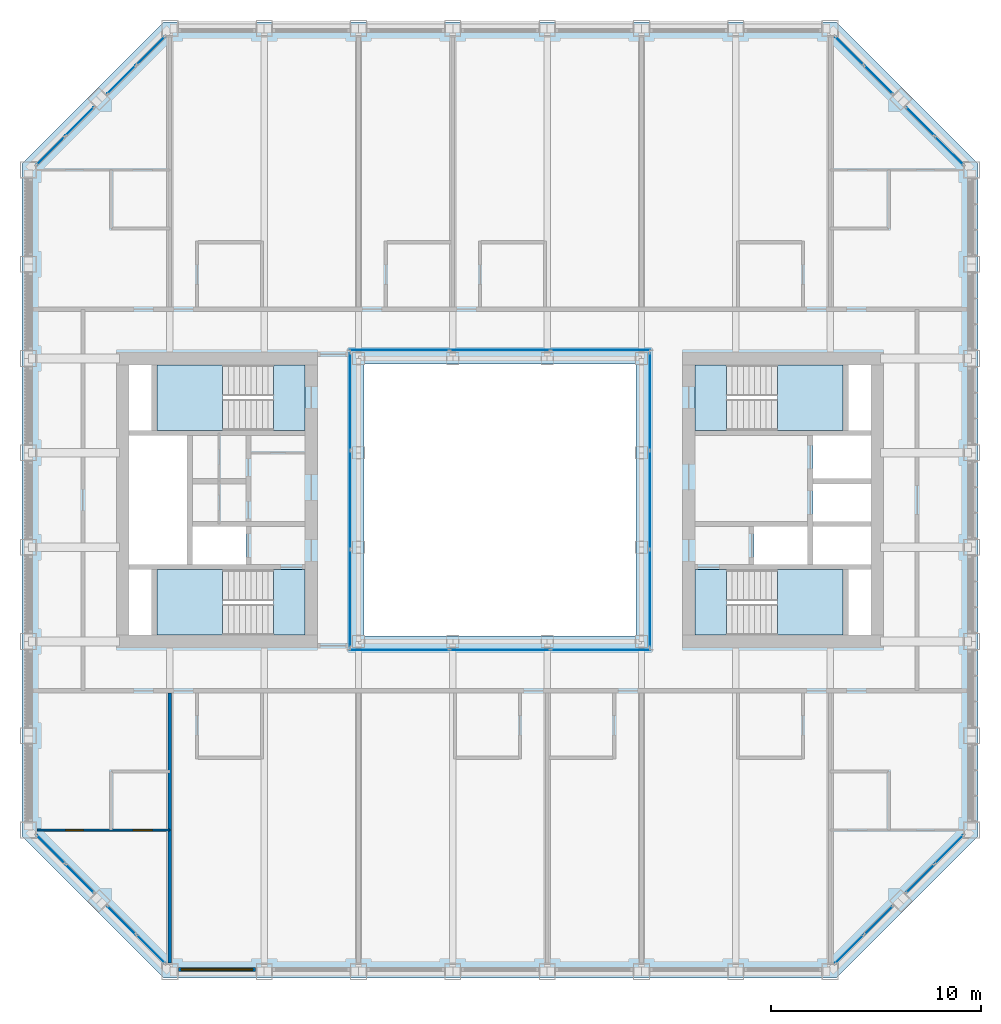
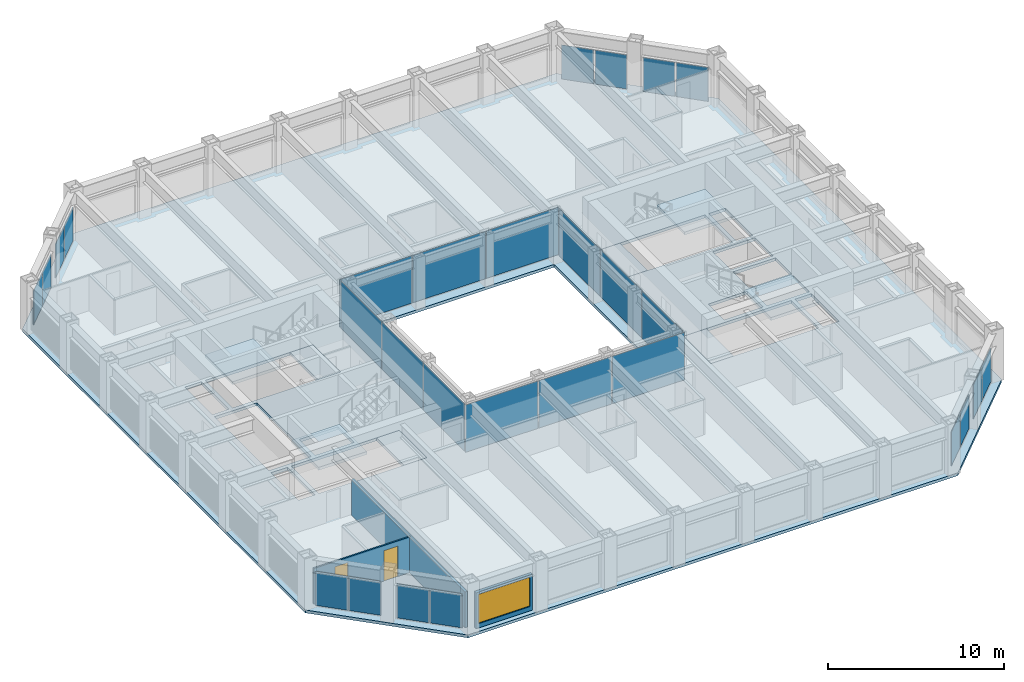
# One storey, part 9 of 17: 28 plates, 9 slabs, 3 walls, 2 doors, 1 window, 3 openings, 16 elements without a shape of their own.
"""IFC4 building model written with IfcOpenShell, lengths in metres."""

from ifc_helpers import new_model, si_unit, direction, frame, frame_2d, origin, origin_2d, place, context, subcontext, project, spatial, polyline, rectangle, outline, extrude, material, layer, layer_set, type_object, element, fill, aggregate, save


model = new_model("IFC4")

# Units and contexts
model_context = context("Model", 3, precision=1e-05, world=origin(), true_north=direction((0.0, 1.0)))
body_context = subcontext(model_context, "Body", "Model", "MODEL_VIEW")
ifc_project = project(units=[si_unit("LENGTHUNIT", "METRE"), si_unit("AREAUNIT", "SQUARE_METRE"), si_unit("VOLUMEUNIT", "CUBIC_METRE"), si_unit("PLANEANGLEUNIT", "RADIAN"), si_unit("MASSUNIT", "GRAM", prefix="KILO")], contexts=[model_context])

# Site, building, storey
site_placement = place(None, origin())
site = spatial("IfcSite", under=ifc_project, at=site_placement, CompositionType="ELEMENT")
building_placement = place(site_placement, origin())
building = spatial("IfcBuilding", under=site, at=building_placement, Name="Msasa Ring Tower", CompositionType="ELEMENT")
storey_placement = place(building_placement, frame((0.0, 0.0, 161.60009765625)))
storey = spatial("IfcBuildingStorey", under=building, at=storey_placement, Name="L42", CompositionType="ELEMENT", Elevation=161.60009765625)

# Curtain wall, plates
ifc_material_1 = material(Name="Aluminium curtain wall with clear glass", Category="aluminium")
curtain_wall_type_1 = type_object("IfcCurtainWallType", Name="CW-C CHAMFER CORNER CURTAIN WALL", PredefinedType="NOTDEFINED", material=ifc_material_1)
curtain_wall_1_placement = place(storey_placement, origin())
curtain_wall_1 = element("IfcCurtainWall", 1, at=curtain_wall_1_placement, inside=storey, type_object=curtain_wall_type_1, Name="Chamfer corner curtain wall SE L42", PredefinedType="NOTDEFINED")
ifc_material_2 = material(Name="Clear laminated insulating glass unit", Category="glass")
ifc_layer_1 = layer(ifc_material_2, 0.031982421875)
ifc_layer_set_1 = layer_set([ifc_layer_1], Name="CW-C GLASS PANEL 32")
plate_type_1 = type_object("IfcPlateType", Name="CW-C GLASS PANEL 32", PredefinedType="CURTAIN_PANEL", material=ifc_layer_set_1)
plate_1_placement = place(storey_placement, frame((16.677734375, -21.430908203125, 0.06494140625), z_axis=(0.0, 0.0, 1.0), x_axis=(0.707106781187, 0.707106781187, 0.0)))
plate_1 = element("IfcPlate", 2, at=plate_1_placement, type_object=plate_type_1, Name="CW-C panel 1.1", PredefinedType="CURTAIN_PANEL", context=body_context, shape_type="SweptSolid", body=[
    extrude(rectangle(XDim=1.884033203125, YDim=0.031982421875, at=origin_2d()), origin(), (0.0, 0.0, 1.0), 2.34912109375),
])
plate_2_placement = place(storey_placement, frame((18.055908203125, -20.052734375, 0.06494140625), z_axis=(0.0, 0.0, 1.0), x_axis=(0.707106781187, 0.707106781187, 0.0)))
plate_2 = element("IfcPlate", 3, at=plate_2_placement, type_object=plate_type_1, Name="CW-C panel 2.1", PredefinedType="CURTAIN_PANEL", context=body_context, shape_type="SweptSolid", body=[
    extrude(rectangle(XDim=1.884033203125, YDim=0.031982421875, at=origin_2d()), origin(), (0.0, 0.0, 1.0), 2.34912109375),
])
aggregate(curtain_wall_1, [plate_1, plate_2])

curtain_wall_2_placement = place(storey_placement, origin())
curtain_wall_2 = element("IfcCurtainWall", 4, at=curtain_wall_2_placement, inside=storey, type_object=curtain_wall_type_1, Name="Chamfer corner curtain wall SE L42", PredefinedType="NOTDEFINED")
plate_3_placement = place(storey_placement, frame((20.052734375, -18.055908203125, 0.06494140625), z_axis=(0.0, 0.0, 1.0), x_axis=(0.707106781187, 0.707106781187, 0.0)))
plate_3 = element("IfcPlate", 5, at=plate_3_placement, type_object=plate_type_1, Name="CW-C panel 1.1", PredefinedType="CURTAIN_PANEL", context=body_context, shape_type="SweptSolid", body=[
    extrude(rectangle(XDim=1.884033203125, YDim=0.031982421875, at=origin_2d()), origin(), (0.0, 0.0, 1.0), 2.34912109375),
])
plate_4_placement = place(storey_placement, frame((21.430908203125, -16.677734375, 0.06494140625), z_axis=(0.0, 0.0, 1.0), x_axis=(0.707106781187, 0.707106781187, 0.0)))
plate_4 = element("IfcPlate", 6, at=plate_4_placement, type_object=plate_type_1, Name="CW-C panel 2.1", PredefinedType="CURTAIN_PANEL", context=body_context, shape_type="SweptSolid", body=[
    extrude(rectangle(XDim=1.884033203125, YDim=0.031982421875, at=origin_2d()), origin(), (0.0, 0.0, 1.0), 2.34912109375),
])
aggregate(curtain_wall_2, [plate_3, plate_4])

curtain_wall_3_placement = place(storey_placement, origin())
curtain_wall_3 = element("IfcCurtainWall", 7, at=curtain_wall_3_placement, inside=storey, type_object=curtain_wall_type_1, Name="Chamfer corner curtain wall NE L42", PredefinedType="NOTDEFINED")
plate_5_placement = place(storey_placement, frame((18.055908203125, 20.052734375, 0.06494140625), z_axis=(0.0, 0.0, 1.0), x_axis=(-0.707106781187, 0.707106781187, 0.0)))
plate_5 = element("IfcPlate", 8, at=plate_5_placement, type_object=plate_type_1, Name="CW-C panel 1.1", PredefinedType="CURTAIN_PANEL", context=body_context, shape_type="SweptSolid", body=[
    extrude(rectangle(XDim=1.884033203125, YDim=0.031982421875, at=origin_2d()), origin(), (0.0, 0.0, 1.0), 2.34912109375),
])
plate_6_placement = place(storey_placement, frame((16.677734375, 21.430908203125, 0.06494140625), z_axis=(0.0, 0.0, 1.0), x_axis=(-0.707106781187, 0.707106781187, 0.0)))
plate_6 = element("IfcPlate", 9, at=plate_6_placement, type_object=plate_type_1, Name="CW-C panel 2.1", PredefinedType="CURTAIN_PANEL", context=body_context, shape_type="SweptSolid", body=[
    extrude(rectangle(XDim=1.884033203125, YDim=0.031982421875, at=origin_2d()), origin(), (0.0, 0.0, 1.0), 2.34912109375),
])
aggregate(curtain_wall_3, [plate_5, plate_6])

curtain_wall_4_placement = place(storey_placement, origin())
curtain_wall_4 = element("IfcCurtainWall", 10, at=curtain_wall_4_placement, inside=storey, type_object=curtain_wall_type_1, Name="Chamfer corner curtain wall NE L42", PredefinedType="NOTDEFINED")
plate_7_placement = place(storey_placement, frame((21.430908203125, 16.677734375, 0.06494140625), z_axis=(0.0, 0.0, 1.0), x_axis=(-0.707106781187, 0.707106781187, 0.0)))
plate_7 = element("IfcPlate", 11, at=plate_7_placement, type_object=plate_type_1, Name="CW-C panel 1.1", PredefinedType="CURTAIN_PANEL", context=body_context, shape_type="SweptSolid", body=[
    extrude(rectangle(XDim=1.884033203125, YDim=0.031982421875, at=origin_2d()), origin(), (0.0, 0.0, 1.0), 2.34912109375),
])
plate_8_placement = place(storey_placement, frame((20.052734375, 18.055908203125, 0.06494140625), z_axis=(0.0, 0.0, 1.0), x_axis=(-0.707106781187, 0.707106781187, 0.0)))
plate_8 = element("IfcPlate", 12, at=plate_8_placement, type_object=plate_type_1, Name="CW-C panel 2.1", PredefinedType="CURTAIN_PANEL", context=body_context, shape_type="SweptSolid", body=[
    extrude(rectangle(XDim=1.884033203125, YDim=0.031982421875, at=origin_2d()), origin(), (0.0, 0.0, 1.0), 2.34912109375),
])
aggregate(curtain_wall_4, [plate_7, plate_8])

curtain_wall_5_placement = place(storey_placement, origin())
curtain_wall_5 = element("IfcCurtainWall", 13, at=curtain_wall_5_placement, inside=storey, type_object=curtain_wall_type_1, Name="Chamfer corner curtain wall NW L42", PredefinedType="NOTDEFINED")
plate_9_placement = place(storey_placement, frame((-20.052734375, 18.055908203125, 0.06494140625), z_axis=(0.0, 0.0, 1.0), x_axis=(-0.707106781187, -0.707106781187, 0.0)))
plate_9 = element("IfcPlate", 14, at=plate_9_placement, type_object=plate_type_1, Name="CW-C panel 1.1", PredefinedType="CURTAIN_PANEL", context=body_context, shape_type="SweptSolid", body=[
    extrude(rectangle(XDim=1.884033203125, YDim=0.031982421875, at=origin_2d()), origin(), (0.0, 0.0, 1.0), 2.34912109375),
])
plate_10_placement = place(storey_placement, frame((-21.430908203125, 16.677734375, 0.06494140625), z_axis=(0.0, 0.0, 1.0), x_axis=(-0.707106781187, -0.707106781187, 0.0)))
plate_10 = element("IfcPlate", 15, at=plate_10_placement, type_object=plate_type_1, Name="CW-C panel 2.1", PredefinedType="CURTAIN_PANEL", context=body_context, shape_type="SweptSolid", body=[
    extrude(rectangle(XDim=1.884033203125, YDim=0.031982421875, at=origin_2d()), origin(), (0.0, 0.0, 1.0), 2.34912109375),
])
aggregate(curtain_wall_5, [plate_9, plate_10])

curtain_wall_6_placement = place(storey_placement, origin())
curtain_wall_6 = element("IfcCurtainWall", 16, at=curtain_wall_6_placement, inside=storey, type_object=curtain_wall_type_1, Name="Chamfer corner curtain wall NW L42", PredefinedType="NOTDEFINED")
plate_11_placement = place(storey_placement, frame((-16.677734375, 21.430908203125, 0.06494140625), z_axis=(0.0, 0.0, 1.0), x_axis=(-0.707106781187, -0.707106781187, 0.0)))
plate_11 = element("IfcPlate", 17, at=plate_11_placement, type_object=plate_type_1, Name="CW-C panel 1.1", PredefinedType="CURTAIN_PANEL", context=body_context, shape_type="SweptSolid", body=[
    extrude(rectangle(XDim=1.884033203125, YDim=0.031982421875, at=origin_2d()), origin(), (0.0, 0.0, 1.0), 2.34912109375),
])
plate_12_placement = place(storey_placement, frame((-18.055908203125, 20.052734375, 0.06494140625), z_axis=(0.0, 0.0, 1.0), x_axis=(-0.707106781187, -0.707106781187, 0.0)))
plate_12 = element("IfcPlate", 18, at=plate_12_placement, type_object=plate_type_1, Name="CW-C panel 2.1", PredefinedType="CURTAIN_PANEL", context=body_context, shape_type="SweptSolid", body=[
    extrude(rectangle(XDim=1.884033203125, YDim=0.031982421875, at=origin_2d()), origin(), (0.0, 0.0, 1.0), 2.34912109375),
])
aggregate(curtain_wall_6, [plate_11, plate_12])

curtain_wall_7_placement = place(storey_placement, origin())
curtain_wall_7 = element("IfcCurtainWall", 19, at=curtain_wall_7_placement, inside=storey, type_object=curtain_wall_type_1, Name="Chamfer corner curtain wall SW L42", PredefinedType="NOTDEFINED")
plate_13_placement = place(storey_placement, frame((-21.430908203125, -16.677734375, 0.06494140625), z_axis=(0.0, 0.0, 1.0), x_axis=(0.707106781187, -0.707106781187, 0.0)))
plate_13 = element("IfcPlate", 20, at=plate_13_placement, type_object=plate_type_1, Name="CW-C panel 1.1", PredefinedType="CURTAIN_PANEL", context=body_context, shape_type="SweptSolid", body=[
    extrude(rectangle(XDim=1.884033203125, YDim=0.031982421875, at=origin_2d()), origin(), (0.0, 0.0, 1.0), 2.34912109375),
])
plate_14_placement = place(storey_placement, frame((-20.052734375, -18.055908203125, 0.06494140625), z_axis=(0.0, 0.0, 1.0), x_axis=(0.707106781187, -0.707106781187, 0.0)))
plate_14 = element("IfcPlate", 21, at=plate_14_placement, type_object=plate_type_1, Name="CW-C panel 2.1", PredefinedType="CURTAIN_PANEL", context=body_context, shape_type="SweptSolid", body=[
    extrude(rectangle(XDim=1.884033203125, YDim=0.031982421875, at=origin_2d()), origin(), (0.0, 0.0, 1.0), 2.34912109375),
])
aggregate(curtain_wall_7, [plate_13, plate_14])

curtain_wall_8_placement = place(storey_placement, origin())
curtain_wall_8 = element("IfcCurtainWall", 22, at=curtain_wall_8_placement, inside=storey, type_object=curtain_wall_type_1, Name="Chamfer corner curtain wall SW L42", PredefinedType="NOTDEFINED")
plate_15_placement = place(storey_placement, frame((-18.055908203125, -20.052734375, 0.06494140625), z_axis=(0.0, 0.0, 1.0), x_axis=(0.707106781187, -0.707106781187, 0.0)))
plate_15 = element("IfcPlate", 23, at=plate_15_placement, type_object=plate_type_1, Name="CW-C panel 1.1", PredefinedType="CURTAIN_PANEL", context=body_context, shape_type="SweptSolid", body=[
    extrude(rectangle(XDim=1.884033203125, YDim=0.031982421875, at=origin_2d()), origin(), (0.0, 0.0, 1.0), 2.34912109375),
])
plate_16_placement = place(storey_placement, frame((-16.677734375, -21.430908203125, 0.06494140625), z_axis=(0.0, 0.0, 1.0), x_axis=(0.707106781187, -0.707106781187, 0.0)))
plate_16 = element("IfcPlate", 24, at=plate_16_placement, type_object=plate_type_1, Name="CW-C panel 2.1", PredefinedType="CURTAIN_PANEL", context=body_context, shape_type="SweptSolid", body=[
    extrude(rectangle(XDim=1.884033203125, YDim=0.031982421875, at=origin_2d()), origin(), (0.0, 0.0, 1.0), 2.34912109375),
])
aggregate(curtain_wall_8, [plate_15, plate_16])

ifc_material_3 = material(Name="Aluminium curtain wall with clear glass", Category="aluminium")
curtain_wall_type_2 = type_object("IfcCurtainWallType", Name="CW-W LIGHT WELL CURTAIN WALL", PredefinedType="NOTDEFINED", material=ifc_material_3)
curtain_wall_9_placement = place(storey_placement, origin())
curtain_wall_9 = element("IfcCurtainWall", 25, at=curtain_wall_9_placement, inside=storey, type_object=curtain_wall_type_2, Name="Light well curtain wall N L42", PredefinedType="NOTDEFINED")
ifc_material_4 = material(Name="Clear laminated insulating glass unit", Category="glass")
ifc_layer_2 = layer(ifc_material_4, 0.028076171875)
ifc_layer_set_2 = layer_set([ifc_layer_2], Name="CW-W GLASS PANEL 28")
plate_type_2 = type_object("IfcPlateType", Name="CW-W GLASS PANEL 28", PredefinedType="CURTAIN_PANEL", material=ifc_layer_set_2)
plate_17_placement = place(storey_placement, frame((-4.804931640625, 7.14990234375, 0.06005859375), z_axis=(0.0, 0.0, 1.0), x_axis=(1.0, 0.0, 0.0)))
plate_17 = element("IfcPlate", 26, at=plate_17_placement, type_object=plate_type_2, Name="CW-W panel 1.1", PredefinedType="CURTAIN_PANEL", context=body_context, shape_type="SweptSolid", body=[
    extrude(rectangle(XDim=4.72998046875, YDim=0.028076171875, at=origin_2d()), origin(), (0.0, 0.0, 1.0), 3.280029296875),
])
plate_18_placement = place(storey_placement, frame((0.0, 7.14990234375, 0.06005859375), z_axis=(0.0, 0.0, 1.0), x_axis=(1.0, 0.0, 0.0)))
plate_18 = element("IfcPlate", 27, at=plate_18_placement, type_object=plate_type_2, Name="CW-W panel 2.1", PredefinedType="CURTAIN_PANEL", context=body_context, shape_type="SweptSolid", body=[
    extrude(rectangle(XDim=4.760009765625, YDim=0.028076171875, at=origin_2d()), origin(), (0.0, 0.0, 1.0), 3.280029296875),
])
plate_19_placement = place(storey_placement, frame((4.804931640625, 7.14990234375, 0.06005859375), z_axis=(0.0, 0.0, 1.0), x_axis=(1.0, 0.0, 0.0)))
plate_19 = element("IfcPlate", 28, at=plate_19_placement, type_object=plate_type_2, Name="CW-W panel 3.1", PredefinedType="CURTAIN_PANEL", context=body_context, shape_type="SweptSolid", body=[
    extrude(rectangle(XDim=4.72998046875, YDim=0.028076171875, at=origin_2d()), origin(), (0.0, 0.0, 1.0), 3.280029296875),
])
aggregate(curtain_wall_9, [plate_17, plate_18, plate_19])

curtain_wall_10_placement = place(storey_placement, origin())
curtain_wall_10 = element("IfcCurtainWall", 29, at=curtain_wall_10_placement, inside=storey, type_object=curtain_wall_type_2, Name="Light well curtain wall S L42", PredefinedType="NOTDEFINED")
plate_20_placement = place(storey_placement, frame((-4.804931640625, -7.14990234375, 0.06005859375), z_axis=(0.0, 0.0, 1.0), x_axis=(1.0, 0.0, 0.0)))
plate_20 = element("IfcPlate", 30, at=plate_20_placement, type_object=plate_type_2, Name="CW-W panel 1.1", PredefinedType="CURTAIN_PANEL", context=body_context, shape_type="SweptSolid", body=[
    extrude(rectangle(XDim=4.72998046875, YDim=0.028076171875, at=origin_2d()), origin(), (0.0, 0.0, 1.0), 3.280029296875),
])
plate_21_placement = place(storey_placement, frame((0.0, -7.14990234375, 0.06005859375), z_axis=(0.0, 0.0, 1.0), x_axis=(1.0, 0.0, 0.0)))
plate_21 = element("IfcPlate", 31, at=plate_21_placement, type_object=plate_type_2, Name="CW-W panel 2.1", PredefinedType="CURTAIN_PANEL", context=body_context, shape_type="SweptSolid", body=[
    extrude(rectangle(XDim=4.760009765625, YDim=0.028076171875, at=origin_2d()), origin(), (0.0, 0.0, 1.0), 3.280029296875),
])
plate_22_placement = place(storey_placement, frame((4.804931640625, -7.14990234375, 0.06005859375), z_axis=(0.0, 0.0, 1.0), x_axis=(1.0, 0.0, 0.0)))
plate_22 = element("IfcPlate", 32, at=plate_22_placement, type_object=plate_type_2, Name="CW-W panel 3.1", PredefinedType="CURTAIN_PANEL", context=body_context, shape_type="SweptSolid", body=[
    extrude(rectangle(XDim=4.72998046875, YDim=0.028076171875, at=origin_2d()), origin(), (0.0, 0.0, 1.0), 3.280029296875),
])
aggregate(curtain_wall_10, [plate_20, plate_21, plate_22])

curtain_wall_11_placement = place(storey_placement, origin())
curtain_wall_11 = element("IfcCurtainWall", 33, at=curtain_wall_11_placement, inside=storey, type_object=curtain_wall_type_2, Name="Light well curtain wall E L42", PredefinedType="NOTDEFINED")
plate_23_placement = place(storey_placement, frame((7.14990234375, -4.6982421875, 0.06005859375), z_axis=(0.0, 0.0, 1.0), x_axis=(0.0, 1.0, 0.0)))
plate_23 = element("IfcPlate", 34, at=plate_23_placement, type_object=plate_type_2, Name="CW-W panel 1.1", PredefinedType="CURTAIN_PANEL", context=body_context, shape_type="SweptSolid", body=[
    extrude(rectangle(XDim=4.623291015625, YDim=0.028076171875, at=origin_2d()), origin(), (0.0, 0.0, 1.0), 3.280029296875),
])
plate_24_placement = place(storey_placement, frame((7.14990234375, 0.0, 0.06005859375), z_axis=(0.0, 0.0, 1.0), x_axis=(0.0, 1.0, 0.0)))
plate_24 = element("IfcPlate", 35, at=plate_24_placement, type_object=plate_type_2, Name="CW-W panel 2.1", PredefinedType="CURTAIN_PANEL", context=body_context, shape_type="SweptSolid", body=[
    extrude(rectangle(XDim=4.6533203125, YDim=0.028076171875, at=origin_2d()), origin(), (0.0, 0.0, 1.0), 3.280029296875),
])
plate_25_placement = place(storey_placement, frame((7.14990234375, 4.6982421875, 0.06005859375), z_axis=(0.0, 0.0, 1.0), x_axis=(0.0, 1.0, 0.0)))
plate_25 = element("IfcPlate", 36, at=plate_25_placement, type_object=plate_type_2, Name="CW-W panel 3.1", PredefinedType="CURTAIN_PANEL", context=body_context, shape_type="SweptSolid", body=[
    extrude(rectangle(XDim=4.623291015625, YDim=0.028076171875, at=origin_2d()), origin(), (0.0, 0.0, 1.0), 3.280029296875),
])
aggregate(curtain_wall_11, [plate_23, plate_24, plate_25])

curtain_wall_12_placement = place(storey_placement, origin())
curtain_wall_12 = element("IfcCurtainWall", 37, at=curtain_wall_12_placement, inside=storey, type_object=curtain_wall_type_2, Name="Light well curtain wall W L42", PredefinedType="NOTDEFINED")
plate_26_placement = place(storey_placement, frame((-7.14990234375, -4.6982421875, 0.06005859375), z_axis=(0.0, 0.0, 1.0), x_axis=(0.0, 1.0, 0.0)))
plate_26 = element("IfcPlate", 38, at=plate_26_placement, type_object=plate_type_2, Name="CW-W panel 1.1", PredefinedType="CURTAIN_PANEL", context=body_context, shape_type="SweptSolid", body=[
    extrude(rectangle(XDim=4.623291015625, YDim=0.028076171875, at=origin_2d()), origin(), (0.0, 0.0, 1.0), 3.280029296875),
])
plate_27_placement = place(storey_placement, frame((-7.14990234375, 0.0, 0.06005859375), z_axis=(0.0, 0.0, 1.0), x_axis=(0.0, 1.0, 0.0)))
plate_27 = element("IfcPlate", 39, at=plate_27_placement, type_object=plate_type_2, Name="CW-W panel 2.1", PredefinedType="CURTAIN_PANEL", context=body_context, shape_type="SweptSolid", body=[
    extrude(rectangle(XDim=4.6533203125, YDim=0.028076171875, at=origin_2d()), origin(), (0.0, 0.0, 1.0), 3.280029296875),
])
plate_28_placement = place(storey_placement, frame((-7.14990234375, 4.6982421875, 0.06005859375), z_axis=(0.0, 0.0, 1.0), x_axis=(0.0, 1.0, 0.0)))
plate_28 = element("IfcPlate", 40, at=plate_28_placement, type_object=plate_type_2, Name="CW-W panel 3.1", PredefinedType="CURTAIN_PANEL", context=body_context, shape_type="SweptSolid", body=[
    extrude(rectangle(XDim=4.623291015625, YDim=0.028076171875, at=origin_2d()), origin(), (0.0, 0.0, 1.0), 3.280029296875),
])
aggregate(curtain_wall_12, [plate_26, plate_27, plate_28])

# Stair, slabs
ifc_material_5 = material(Name="Concrete C40/50", Category="concrete")
stair_type = type_object("IfcStairType", Name="STC CORE STAIR 20 RISERS 180", PredefinedType="HALF_TURN_STAIR", material=ifc_material_5)
stair_1_placement = place(storey_placement, origin())
stair_1 = element("IfcStair", 41, at=stair_1_placement, inside=storey, type_object=stair_type, Name="Core stair SEA L42", PredefinedType="HALF_TURN_STAIR")
ifc_material_6 = material(Name="Concrete C40/50", Category="concrete")
ifc_layer_3 = layer(ifc_material_6, 0.199951171875)
ifc_layer_set_3 = layer_set([ifc_layer_3], Name="LD1 CORE STAIR LANDING 200")
slab_type_1 = type_object("IfcSlabType", Name="LD1 CORE STAIR LANDING 200", PredefinedType="LANDING", material=ifc_layer_set_3)
slab_1_placement = place(storey_placement, frame((0.0, 0.0, -0.2001953125)))
slab_1 = element("IfcSlab", 42, at=slab_1_placement, type_object=slab_type_1, Name="SEA landing 1", PredefinedType="LANDING", context=body_context, shape_type="SweptSolid", body=[
    extrude(outline(polyline([(9.300048828125, -6.449951171875), (10.800048828125, -6.449951171875), (10.800048828125, -3.324951171875), (9.300048828125, -3.324951171875), (9.300048828125, -6.449951171875)])), origin(), (0.0, 0.0, 1.0), 0.2001953125),
])
slab_2_placement = place(storey_placement, frame((0.0, 0.0, 1.599853515625)))
slab_2 = element("IfcSlab", 43, at=slab_2_placement, type_object=slab_type_1, Name="SEA landing 2", PredefinedType="LANDING", context=body_context, shape_type="SweptSolid", body=[
    extrude(outline(polyline([(13.22998046875, -6.449951171875), (16.375, -6.449951171875), (16.375, -3.324951171875), (13.22998046875, -3.324951171875), (13.22998046875, -6.449951171875)])), origin(), (0.0, 0.0, 1.0), 0.199951171875),
])
aggregate(stair_1, [slab_1, slab_2])

stair_2_placement = place(storey_placement, origin())
stair_2 = element("IfcStair", 44, at=stair_2_placement, inside=storey, type_object=stair_type, Name="Core stair SEB L42", PredefinedType="HALF_TURN_STAIR")
slab_3_placement = place(storey_placement, frame((0.0, 0.0, -0.2001953125)))
slab_3 = element("IfcSlab", 45, at=slab_3_placement, type_object=slab_type_1, Name="SEB landing 1", PredefinedType="LANDING", context=body_context, shape_type="SweptSolid", body=[
    extrude(outline(polyline([(9.300048828125, 3.324951171875), (10.800048828125, 3.324951171875), (10.800048828125, 6.449951171875), (9.300048828125, 6.449951171875), (9.300048828125, 3.324951171875)])), origin(), (0.0, 0.0, 1.0), 0.2001953125),
])
slab_4_placement = place(storey_placement, frame((0.0, 0.0, 1.599853515625)))
slab_4 = element("IfcSlab", 46, at=slab_4_placement, type_object=slab_type_1, Name="SEB landing 2", PredefinedType="LANDING", context=body_context, shape_type="SweptSolid", body=[
    extrude(outline(polyline([(13.22998046875, 3.324951171875), (16.375, 3.324951171875), (16.375, 6.449951171875), (13.22998046875, 6.449951171875), (13.22998046875, 3.324951171875)])), origin(), (0.0, 0.0, 1.0), 0.199951171875),
])
aggregate(stair_2, [slab_3, slab_4])

stair_3_placement = place(storey_placement, origin())
stair_3 = element("IfcStair", 47, at=stair_3_placement, inside=storey, type_object=stair_type, Name="Core stair SWA L42", PredefinedType="HALF_TURN_STAIR")
slab_5_placement = place(storey_placement, frame((0.0, 0.0, -0.2001953125)))
slab_5 = element("IfcSlab", 48, at=slab_5_placement, type_object=slab_type_1, Name="SWA landing 1", PredefinedType="LANDING", context=body_context, shape_type="SweptSolid", body=[
    extrude(outline(polyline([(-10.800048828125, -6.449951171875), (-9.300048828125, -6.449951171875), (-9.300048828125, -3.324951171875), (-10.800048828125, -3.324951171875), (-10.800048828125, -6.449951171875)])), origin(), (0.0, 0.0, 1.0), 0.2001953125),
])
slab_6_placement = place(storey_placement, frame((0.0, 0.0, 1.599853515625)))
slab_6 = element("IfcSlab", 49, at=slab_6_placement, type_object=slab_type_1, Name="SWA landing 2", PredefinedType="LANDING", context=body_context, shape_type="SweptSolid", body=[
    extrude(outline(polyline([(-16.375, -6.449951171875), (-13.22998046875, -6.449951171875), (-13.22998046875, -3.324951171875), (-16.375, -3.324951171875), (-16.375, -6.449951171875)])), origin(), (0.0, 0.0, 1.0), 0.199951171875),
])
aggregate(stair_3, [slab_5, slab_6])

stair_4_placement = place(storey_placement, origin())
stair_4 = element("IfcStair", 50, at=stair_4_placement, inside=storey, type_object=stair_type, Name="Core stair SWB L42", PredefinedType="HALF_TURN_STAIR")
slab_7_placement = place(storey_placement, frame((0.0, 0.0, -0.2001953125)))
slab_7 = element("IfcSlab", 51, at=slab_7_placement, type_object=slab_type_1, Name="SWB landing 1", PredefinedType="LANDING", context=body_context, shape_type="SweptSolid", body=[
    extrude(outline(polyline([(-10.800048828125, 3.324951171875), (-9.300048828125, 3.324951171875), (-9.300048828125, 6.449951171875), (-10.800048828125, 6.449951171875), (-10.800048828125, 3.324951171875)])), origin(), (0.0, 0.0, 1.0), 0.2001953125),
])
slab_8_placement = place(storey_placement, frame((0.0, 0.0, 1.599853515625)))
slab_8 = element("IfcSlab", 52, at=slab_8_placement, type_object=slab_type_1, Name="SWB landing 2", PredefinedType="LANDING", context=body_context, shape_type="SweptSolid", body=[
    extrude(outline(polyline([(-16.375, 3.324951171875), (-13.22998046875, 3.324951171875), (-13.22998046875, 6.449951171875), (-16.375, 6.449951171875), (-16.375, 3.324951171875)])), origin(), (0.0, 0.0, 1.0), 0.199951171875),
])
aggregate(stair_4, [slab_7, slab_8])

# Slab
ifc_material_7 = material(Name="Concrete C40/50", Category="concrete")
ifc_layer_4 = layer(ifc_material_7, 0.199951171875)
ifc_layer_set_4 = layer_set([ifc_layer_4], Name="S6 GUEST FLOOR 200")
slab_type_2 = type_object("IfcSlabType", Name="S6 GUEST FLOOR 200", PredefinedType="FLOOR", material=ifc_layer_set_4)
slab_9_placement = place(storey_placement, frame((0.0, 0.0, -0.2001953125)))
element("IfcSlab", 53, at=slab_9_placement, inside=storey, type_object=slab_type_2, Name="Floor slab L42", PredefinedType="FLOOR", context=body_context, shape_type="SweptSolid", body=[
    extrude(outline(polyline([(-16.050048828125, -22.800048828125), (16.050048828125, -22.800048828125), (22.800048828125, -16.050048828125), (22.800048828125, 16.050048828125), (16.050048828125, 22.800048828125), (-16.050048828125, 22.800048828125), (-22.800048828125, 16.050048828125), (-22.800048828125, -16.050048828125), (-16.050048828125, -22.800048828125)]), holes=[polyline([(-6.5, -6.5), (6.5, -6.5), (6.5, 6.5), (-6.5, 6.5), (-6.5, -6.5)]), polyline([(9.300048828125, -6.449951171875), (16.375, -6.449951171875), (16.375, -3.324951171875), (9.300048828125, -3.324951171875), (9.300048828125, -6.449951171875)]), polyline([(9.300048828125, 3.324951171875), (16.375, 3.324951171875), (16.375, 6.449951171875), (9.300048828125, 6.449951171875), (9.300048828125, 3.324951171875)]), polyline([(12.125, -3.074951171875), (14.675048828125, -3.074951171875), (14.675048828125, -1.27490234375), (12.125, -1.27490234375), (12.125, -3.074951171875)]), polyline([(16.625, -6.449951171875), (17.699951171875, -6.449951171875), (17.699951171875, -3.324951171875), (16.625, -3.324951171875), (16.625, -6.449951171875)]), polyline([(16.625, 3.324951171875), (17.699951171875, 3.324951171875), (17.699951171875, 6.449951171875), (16.625, 6.449951171875), (16.625, 3.324951171875)]), polyline([(14.925048828125, -3.074951171875), (17.699951171875, -3.074951171875), (17.699951171875, -1.27490234375), (14.925048828125, -1.27490234375), (14.925048828125, -3.074951171875)]), polyline([(14.925048828125, -1.02490234375), (17.699951171875, -1.02490234375), (17.699951171875, 0.77490234375), (14.925048828125, 0.77490234375), (14.925048828125, -1.02490234375)]), polyline([(14.925048828125, 1.02490234375), (17.699951171875, 1.02490234375), (17.699951171875, 3.074951171875), (14.925048828125, 3.074951171875), (14.925048828125, 1.02490234375)]), polyline([(-16.375, -6.449951171875), (-9.300048828125, -6.449951171875), (-9.300048828125, -3.324951171875), (-16.375, -3.324951171875), (-16.375, -6.449951171875)]), polyline([(-16.375, 3.324951171875), (-9.300048828125, 3.324951171875), (-9.300048828125, 6.449951171875), (-16.375, 6.449951171875), (-16.375, 3.324951171875)]), polyline([(-14.675048828125, -3.074951171875), (-12.125, -3.074951171875), (-12.125, -1.27490234375), (-14.675048828125, -1.27490234375), (-14.675048828125, -3.074951171875)]), polyline([(-17.699951171875, -6.449951171875), (-16.625, -6.449951171875), (-16.625, -3.324951171875), (-17.699951171875, -3.324951171875), (-17.699951171875, -6.449951171875)]), polyline([(-17.699951171875, 3.324951171875), (-16.625, 3.324951171875), (-16.625, 6.449951171875), (-17.699951171875, 6.449951171875), (-17.699951171875, 3.324951171875)]), polyline([(-17.699951171875, -3.074951171875), (-14.925048828125, -3.074951171875), (-14.925048828125, 3.074951171875), (-17.699951171875, 3.074951171875), (-17.699951171875, -3.074951171875)])]), origin(), (0.0, 0.0, 1.0), 0.2001953125),
])

# Wall, opening, window
ifc_material_8 = material(Name="Terracotta rainscreen on blockwork", Category="masonry")
ifc_layer_5 = layer(ifc_material_8, 0.199951171875)
ifc_layer_set_5 = layer_set([ifc_layer_5], Name="FW1 TERRACOTTA-LINED INFILL BAY WALL 200")
wall_type_1 = type_object("IfcWallType", Name="FW1 TERRACOTTA-LINED INFILL BAY WALL 200", PredefinedType="SOLIDWALL", material=ifc_layer_set_5)
wall_1_placement = place(storey_placement, frame((-15.344970703125, -22.39990234375, 0.0), z_axis=(0.0, 0.0, 1.0), x_axis=(1.0, 0.0, 0.0)))
wall_1 = element("IfcWall", 54, at=wall_1_placement, inside=storey, type_object=wall_type_1, Name="Infill bay wall S L42 00", PredefinedType="SOLIDWALL", context=body_context, shape_type="SweptSolid", body=[
    extrude(rectangle(XDim=3.68994140625, YDim=0.199951171875, at=frame_2d((1.844970703125, 0.0))), origin(), (0.0, 0.0, 1.0), 2.47900390625),
])
opening_1_placement = place(wall_1_placement, frame((0.14501953125, 0.0, 0.300048828125)))
opening_1 = element("IfcOpeningElement", 55, at=opening_1_placement, cuts=wall_1, Name="Opening WN2", PredefinedType="OPENING", context=body_context, shape_type="SweptSolid", body=[
    extrude(rectangle(XDim=3.39990234375, YDim=2.029052734375, at=frame_2d((1.699951171875, 1.0146484375))), frame((0.0, 0.10986328125, 0.0), z_axis=(0.0, -1.0, 0.0), x_axis=(1.0, 0.0, 0.0)), (0.0, 0.0, 1.0), 0.219970703125),
])
ifc_material_9 = material(Name="Aluminium frame with clear glass", Category="aluminium")
window_type = type_object("IfcWindowType", Name="WN2 GUEST ROOM WINDOW 3400x2029", PartitioningType="SINGLE_PANEL", PredefinedType="WINDOW", material=ifc_material_9)
window_placement = place(opening_1_placement, origin())
window = element("IfcWindow", 56, at=window_placement, inside=storey, type_object=window_type, Name="Window S L42 00", OverallHeight=2.029052734375, OverallWidth=3.39990234375, PartitioningType="SINGLE_PANEL", PredefinedType="WINDOW", context=body_context, shape_type="SweptSolid", body=[
    extrude(rectangle(XDim=3.39990234375, YDim=2.029052734375, at=frame_2d((1.699951171875, 1.0146484375))), frame((0.0, 0.030029296875, 0.0), z_axis=(0.0, -1.0, 0.0), x_axis=(1.0, 0.0, 0.0)), (0.0, 0.0, 1.0), 0.06005859375),
])
fill(opening_1, window)

# Wall, openings, doors
ifc_material_10 = material(Name="Gypsum board on steel studs", Category="steel")
ifc_layer_6 = layer(ifc_material_10, 0.10009765625)
ifc_layer_set_6 = layer_set([ifc_layer_6], Name="PT2 STUD PARTITION 100")
wall_type_2 = type_object("IfcWallType", Name="PT2 STUD PARTITION 100", PredefinedType="PARTITIONING", material=ifc_layer_set_6)
wall_2_placement = place(storey_placement, frame((-22.10009765625, -15.75, 0.0), z_axis=(0.0, 0.0, 1.0), x_axis=(1.0, 0.0, 0.0)))
wall_2 = element("IfcWall", 57, at=wall_2_placement, inside=storey, type_object=wall_type_2, Name="Partition L42-CSSWX", PredefinedType="PARTITIONING", context=body_context, shape_type="SweptSolid", body=[
    extrude(rectangle(XDim=6.35009765625, YDim=0.10009765625, at=frame_2d((3.175048828125, 0.0))), origin(), (0.0, 0.0, 1.0), 2.473388671875),
])
opening_2_placement = place(wall_2_placement, frame((1.375, 0.0, 0.0)))
opening_2 = element("IfcOpeningElement", 58, at=opening_2_placement, cuts=wall_2, Name="Opening HE-042", PredefinedType="OPENING", context=body_context, shape_type="SweptSolid", body=[
    extrude(rectangle(XDim=0.85009765625, YDim=2.10009765625, at=frame_2d((0.425048828125, 1.050048828125))), frame((0.0, 0.06005859375, 0.0), z_axis=(0.0, -1.0, 0.0), x_axis=(1.0, 0.0, 0.0)), (0.0, 0.0, 1.0), 0.1201171875),
])
opening_3_placement = place(wall_2_placement, frame((4.60009765625, 0.0, 0.0)))
opening_3 = element("IfcOpeningElement", 59, at=opening_3_placement, cuts=wall_2, Name="Opening HE-043", PredefinedType="OPENING", context=body_context, shape_type="SweptSolid", body=[
    extrude(rectangle(XDim=0.89990234375, YDim=2.10009765625, at=frame_2d((0.449951171875, 1.050048828125))), frame((0.0, 0.06005859375, 0.0), z_axis=(0.0, -1.0, 0.0), x_axis=(1.0, 0.0, 0.0)), (0.0, 0.0, 1.0), 0.1201171875),
])
ifc_material_11 = material(Name="Timber door leaf in a steel frame", Category="steel")
door_type_1 = type_object("IfcDoorType", Name="D14 BEDROOM DOOR 850x2100", OperationType="SINGLE_SWING_LEFT", PredefinedType="DOOR", material=ifc_material_11)
door_1_placement = place(opening_2_placement, origin())
door_1 = element("IfcDoor", 60, at=door_1_placement, inside=storey, type_object=door_type_1, Name="Door L42-CSSWR1", OperationType="SINGLE_SWING_LEFT", OverallHeight=2.10009765625, OverallWidth=0.85009765625, PredefinedType="DOOR", context=body_context, shape_type="SweptSolid", body=[
    extrude(rectangle(XDim=0.85009765625, YDim=2.10009765625, at=frame_2d((0.425048828125, 1.050048828125))), frame((0.0, 0.02490234375, 0.0), z_axis=(0.0, -1.0, 0.0), x_axis=(1.0, 0.0, 0.0)), (0.0, 0.0, 1.0), 0.050048828125),
])
fill(opening_2, door_1)
ifc_material_12 = material(Name="Timber door leaf in a steel frame", Category="steel")
door_type_2 = type_object("IfcDoorType", Name="D3 BATHROOM DOOR 900x2100", OperationType="SINGLE_SWING_LEFT", PredefinedType="DOOR", material=ifc_material_12)
door_2_placement = place(opening_3_placement, origin())
door_2 = element("IfcDoor", 61, at=door_2_placement, inside=storey, type_object=door_type_2, Name="Door L42-CSSWB1", OperationType="SINGLE_SWING_RIGHT", OverallHeight=2.10009765625, OverallWidth=0.89990234375, PredefinedType="DOOR", context=body_context, shape_type="SweptSolid", body=[
    extrude(rectangle(XDim=0.89990234375, YDim=2.10009765625, at=frame_2d((0.449951171875, 1.050048828125))), frame((0.0, 0.02490234375, 0.0), z_axis=(0.0, -1.0, 0.0), x_axis=(1.0, 0.0, 0.0)), (0.0, 0.0, 1.0), 0.050048828125),
])
fill(opening_3, door_2)

# Wall
ifc_material_13 = material(Name="Twin steel studs, two layers of acoustic board each face, mineral wool", Category="steel")
ifc_layer_7 = layer(ifc_material_13, 0.175048828125)
ifc_layer_set_7 = layer_set([ifc_layer_7], Name="PT5 GUEST ROOM SEPARATING WALL 175")
wall_type_3 = type_object("IfcWallType", Name="PT5 GUEST ROOM SEPARATING WALL 175", PredefinedType="PARTITIONING", material=ifc_layer_set_7)
wall_3_placement = place(storey_placement, frame((-15.75, -22.10009765625, 0.0), z_axis=(0.0, 0.0, 1.0), x_axis=(0.0, 1.0, 0.0)))
element("IfcWall", 62, at=wall_3_placement, inside=storey, type_object=wall_type_3, Name="Partition L42-PWS-15.75", PredefinedType="PARTITIONING", context=body_context, shape_type="SweptSolid", body=[
    extrude(rectangle(XDim=12.900146484375, YDim=0.175048828125, at=frame_2d((6.4501953125, 0.0))), origin(), (0.0, 0.0, 1.0), 2.473388671875),
])

save(model, "model.ifc")
